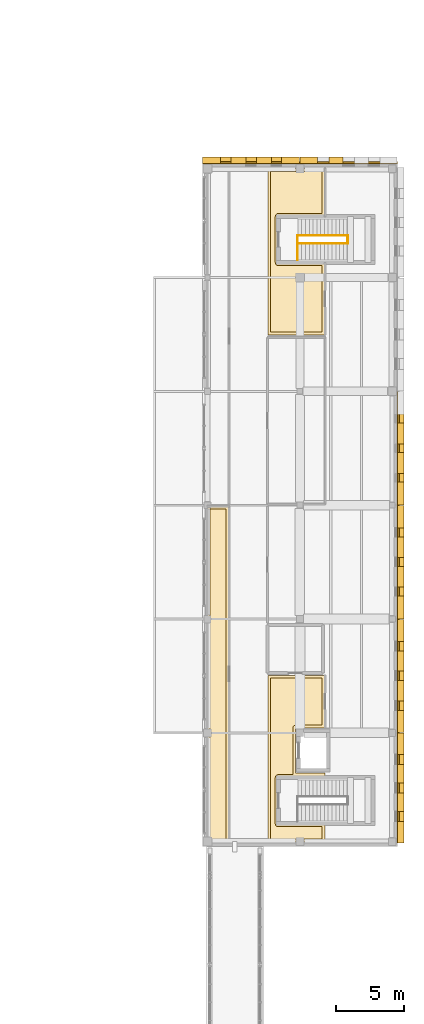
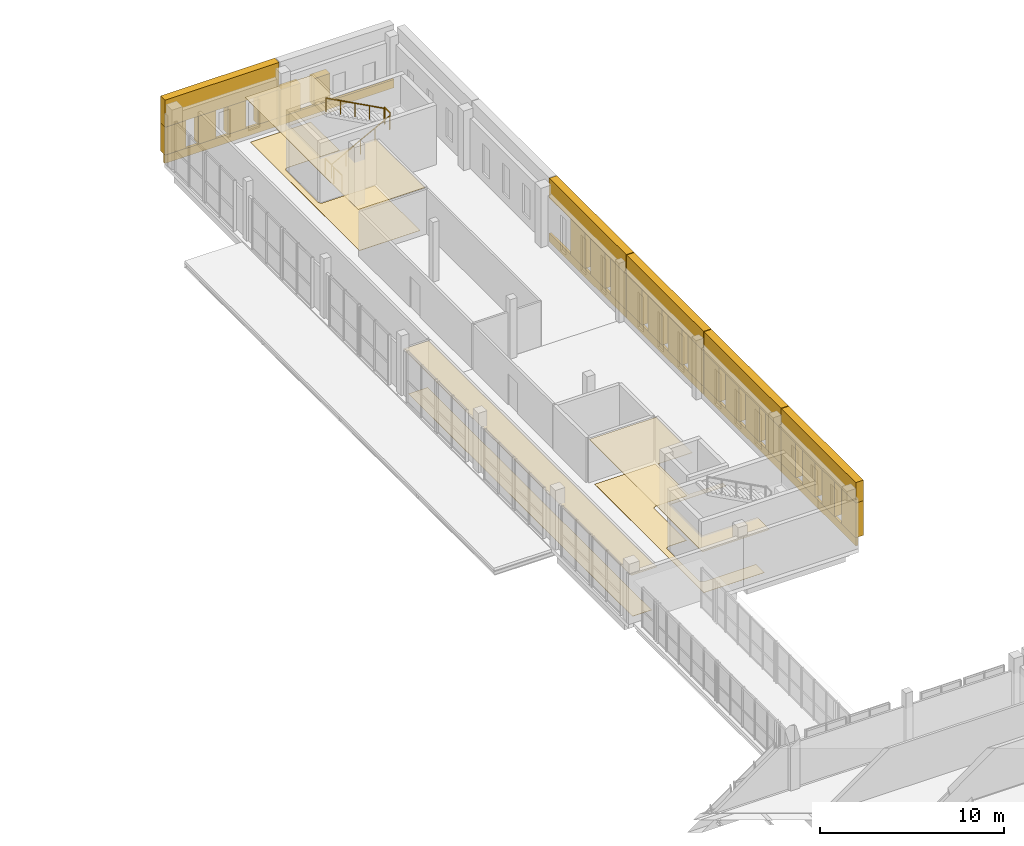
# One storey, part 75 of 76: 38 coverings, 4 railings.
"""IFC4 building model written with IfcOpenShell, lengths in metres."""

from ifc_helpers import new_model, si_unit, direction, frame, origin, origin_2d, place, context, subcontext, project, spatial, polyline, circle, outline, extrude, material, layer, layer_set, type_object, element, save


model = new_model("IFC4")

# Units and contexts
model_context = context("Model", 3, precision=1e-05, world=origin(), true_north=direction((0.0, 1.0)))
body_context = subcontext(model_context, "Body", "Model", "MODEL_VIEW")
ifc_project = project(units=[si_unit("LENGTHUNIT", "METRE"), si_unit("AREAUNIT", "SQUARE_METRE"), si_unit("VOLUMEUNIT", "CUBIC_METRE"), si_unit("PLANEANGLEUNIT", "RADIAN"), si_unit("MASSUNIT", "GRAM", prefix="KILO")], contexts=[model_context])

# Site, building, storey
site_placement = place(None, origin())
site = spatial("IfcSite", under=ifc_project, at=site_placement, CompositionType="ELEMENT")
building_placement = place(site_placement, origin())
building = spatial("IfcBuilding", under=site, at=building_placement, Name="Vardoun Plaza Health Centre", CompositionType="ELEMENT")
storey_placement = place(building_placement, frame((0.0, 0.0, 4.5)))
storey = spatial("IfcBuildingStorey", under=building, at=storey_placement, Name="L01", CompositionType="ELEMENT", Elevation=4.5)

# Coverings
ifc_material_1 = material(Name="Hygienic Acoustic Mineral-Fibre Ceiling", Category="concrete")
ifc_layer_1 = layer(ifc_material_1, 0.02490234375)
ifc_layer_set_1 = layer_set([ifc_layer_1], Name="Hygienic Acoustic Mineral-Fibre Ceiling")
covering_type_1 = type_object("IfcCoveringType", Name="CL-01", PredefinedType="CEILING", material=ifc_layer_set_1)
covering_1_placement = place(storey_placement, frame((0.0, 0.0, 2.909912109375)))
element("IfcCovering", 1, at=covering_1_placement, inside=storey, type_object=covering_type_1, Name="Dental Clinic Operatory 2 Acoustic Ceiling", PredefinedType="CEILING", context=body_context, shape_type="SweptSolid", body=[
    extrude(outline(polyline([(152.8701171875, 36.659912109375), (151.260009765625, 36.659912109375), (151.260009765625, 61.409912109375), (152.8701171875, 61.409912109375), (152.8701171875, 36.659912109375)])), origin(), (0.0, 0.0, 1.0), 0.025146484375),
])
covering_2_placement = place(storey_placement, frame((0.0, 0.0, 2.909912109375)))
element("IfcCovering", 2, at=covering_2_placement, inside=storey, type_object=covering_type_1, Name="Dental Panoramic X-Ray and Sterilisation Acoustic Ceiling", PredefinedType="CEILING", context=body_context, shape_type="SweptSolid", body=[
    extrude(outline(polyline([(159.949951171875, 86.340087890625), (159.949951171875, 82.81005859375), (156.5, 82.81005859375), (156.4990234375, 82.81005859375), (156.498046875, 82.809814453125), (156.4970703125, 82.8095703125), (156.49609375, 82.80908203125), (156.495361328125, 82.808837890625), (156.494384765625, 82.808349609375), (156.49365234375, 82.8076171875), (156.492919921875, 82.80712890625), (156.4921875, 82.806396484375), (156.49169921875, 82.8056640625), (156.4912109375, 82.8046875), (156.49072265625, 82.8037109375), (156.490478515625, 82.802978515625), (156.490234375, 82.802001953125), (156.489990234375, 82.801025390625), (156.489990234375, 82.800048828125), (156.489990234375, 79.39990234375), (156.489990234375, 79.39892578125), (156.490234375, 79.39794921875), (156.490478515625, 79.397216796875), (156.49072265625, 79.396240234375), (156.4912109375, 79.395263671875), (156.49169921875, 79.394287109375), (156.4921875, 79.393798828125), (156.492919921875, 79.392822265625), (156.49365234375, 79.392333984375), (156.494384765625, 79.3916015625), (156.495361328125, 79.39111328125), (156.49609375, 79.390869140625), (156.4970703125, 79.390380859375), (156.498046875, 79.39013671875), (156.4990234375, 79.389892578125), (156.5, 79.389892578125), (159.949951171875, 79.389892578125), (159.949951171875, 74.054931640625), (155.72998046875, 74.054931640625), (155.72998046875, 86.340087890625), (159.949951171875, 86.340087890625)])), origin(), (0.0, 0.0, 1.0), 0.025146484375),
])
covering_3_placement = place(storey_placement, frame((0.0, 0.0, 2.909912109375)))
element("IfcCovering", 3, at=covering_3_placement, inside=storey, type_object=covering_type_1, Name="Dental Clinic Operatory 1 A Acoustic Ceiling", PredefinedType="CEILING", context=body_context, shape_type="SweptSolid", body=[
    extrude(outline(polyline([(159.949951171875, 45.06005859375), (157.800048828125, 45.06005859375), (157.799072265625, 45.06005859375), (157.798095703125, 45.059814453125), (157.797119140625, 45.0595703125), (157.796142578125, 45.05908203125), (157.79541015625, 45.058837890625), (157.79443359375, 45.058349609375), (157.793701171875, 45.0576171875), (157.79296875, 45.05712890625), (157.792236328125, 45.056396484375), (157.791748046875, 45.0556640625), (157.791259765625, 45.0546875), (157.790771484375, 45.0537109375), (157.790283203125, 45.052978515625), (157.790283203125, 45.052001953125), (157.7900390625, 45.051025390625), (157.7900390625, 45.050048828125), (157.7900390625, 41.75), (157.7900390625, 41.7490234375), (157.790283203125, 41.748046875), (157.790283203125, 41.7470703125), (157.790771484375, 41.74609375), (157.791259765625, 41.745361328125), (157.791748046875, 41.744384765625), (157.792236328125, 41.74365234375), (157.79296875, 41.742919921875), (157.793701171875, 41.7421875), (157.79443359375, 41.74169921875), (157.79541015625, 41.7412109375), (157.796142578125, 41.74072265625), (157.797119140625, 41.740478515625), (157.798095703125, 41.740234375), (157.799072265625, 41.739990234375), (157.800048828125, 41.739990234375), (159.949951171875, 41.739990234375), (159.949951171875, 41.409912109375), (156.5, 41.409912109375), (156.4990234375, 41.409912109375), (156.498046875, 41.409912109375), (156.4970703125, 41.40966796875), (156.49609375, 41.4091796875), (156.495361328125, 41.40869140625), (156.494384765625, 41.408203125), (156.49365234375, 41.40771484375), (156.492919921875, 41.406982421875), (156.4921875, 41.40625), (156.49169921875, 41.405517578125), (156.4912109375, 41.40478515625), (156.49072265625, 41.40380859375), (156.490478515625, 41.40283203125), (156.490234375, 41.402099609375), (156.489990234375, 41.40087890625), (156.489990234375, 41.39990234375), (156.489990234375, 38.0), (156.489990234375, 37.9990234375), (156.490234375, 37.998046875), (156.490478515625, 37.9970703125), (156.49072265625, 37.99609375), (156.4912109375, 37.995361328125), (156.49169921875, 37.994384765625), (156.4921875, 37.99365234375), (156.492919921875, 37.992919921875), (156.49365234375, 37.9921875), (156.494384765625, 37.99169921875), (156.495361328125, 37.9912109375), (156.49609375, 37.99072265625), (156.4970703125, 37.990478515625), (156.498046875, 37.990234375), (156.4990234375, 37.989990234375), (156.5, 37.989990234375), (159.949951171875, 37.989990234375), (159.949951171875, 36.659912109375), (155.72998046875, 36.659912109375), (155.72998046875, 48.945068359375), (159.949951171875, 48.945068359375), (159.949951171875, 45.06005859375)])), origin(), (0.0, 0.0, 1.0), 0.025146484375),
])
ifc_material_2 = material(Name="Pale Limestone Concrete C35/45", Category="masonry")
ifc_layer_2 = layer(ifc_material_2, 0.080078125)
ifc_layer_set_2 = layer_set([ifc_layer_2], Name="Pale Limestone Concrete C35/45")
covering_type_2 = type_object("IfcCoveringType", Name="CL-EXT1", PredefinedType="CLADDING", material=ifc_layer_set_2)
covering_4_placement = place(storey_placement, origin())
element("IfcCovering", 4, at=covering_4_placement, inside=storey, type_object=covering_type_2, Name="V6 L01 Pale Concrete Sill Band 1286", PredefinedType="CLADDING", context=body_context, shape_type="SweptSolid", body=[
    extrude(outline(polyline([(150.919921875, 86.699951171875), (158.080078125, 86.699951171875), (158.080078125, 86.840087890625), (150.919921875, 86.840087890625), (150.919921875, 86.699951171875)])), origin(), (0.0, 0.0, 1.0), 0.550048828125),
])
covering_5_placement = place(storey_placement, frame((0.0, 0.0, 2.39990234375)))
element("IfcCovering", 5, at=covering_5_placement, inside=storey, type_object=covering_type_2, Name="V6 L01 Sculpted Concrete Eyebrow Hood 1287", PredefinedType="CLADDING", context=body_context, shape_type="SweptSolid", body=[
    extrude(outline(polyline([(150.919921875, 86.699951171875), (158.080078125, 86.699951171875), (158.080078125, 87.179931640625), (150.919921875, 87.179931640625), (150.919921875, 86.699951171875)])), origin(), (0.0, 0.0, 1.0), 1.800048828125),
])
covering_6_placement = place(storey_placement, frame((0.0, 0.0, 0.550048828125)))
element("IfcCovering", 6, at=covering_6_placement, inside=storey, type_object=covering_type_2, Name="V6 L01 Deep-Punched Slot Concrete Reveal Pier 1288", PredefinedType="CLADDING", context=body_context, shape_type="SweptSolid", body=[
    extrude(outline(polyline([(150.919921875, 86.699951171875), (152.248046875, 86.699951171875), (152.248046875, 87.179931640625), (150.919921875, 87.179931640625), (150.919921875, 86.699951171875)])), origin(), (0.0, 0.0, 1.0), 1.849853515625),
])
covering_7_placement = place(storey_placement, frame((0.0, 0.0, 0.550048828125)))
element("IfcCovering", 7, at=covering_7_placement, inside=storey, type_object=covering_type_2, Name="V6 L01 Deep-Punched Slot Concrete Reveal Pier 1289", PredefinedType="CLADDING", context=body_context, shape_type="SweptSolid", body=[
    extrude(outline(polyline([(153.008056640625, 86.699951171875), (154.1201171875, 86.699951171875), (154.1201171875, 87.179931640625), (153.008056640625, 87.179931640625), (153.008056640625, 86.699951171875)])), origin(), (0.0, 0.0, 1.0), 1.849853515625),
])
covering_8_placement = place(storey_placement, frame((0.0, 0.0, 0.550048828125)))
element("IfcCovering", 8, at=covering_8_placement, inside=storey, type_object=covering_type_2, Name="V6 L01 Deep-Punched Slot Concrete Reveal Pier 1290", PredefinedType="CLADDING", context=body_context, shape_type="SweptSolid", body=[
    extrude(outline(polyline([(154.8798828125, 86.699951171875), (155.991943359375, 86.699951171875), (155.991943359375, 87.179931640625), (154.8798828125, 87.179931640625), (154.8798828125, 86.699951171875)])), origin(), (0.0, 0.0, 1.0), 1.849853515625),
])
covering_9_placement = place(storey_placement, frame((0.0, 0.0, 0.550048828125)))
element("IfcCovering", 9, at=covering_9_placement, inside=storey, type_object=covering_type_2, Name="V6 L01 Deep-Punched Slot Concrete Reveal Pier 1291", PredefinedType="CLADDING", context=body_context, shape_type="SweptSolid", body=[
    extrude(outline(polyline([(156.751953125, 86.699951171875), (158.080078125, 86.699951171875), (158.080078125, 87.179931640625), (156.751953125, 87.179931640625), (156.751953125, 86.699951171875)])), origin(), (0.0, 0.0, 1.0), 1.849853515625),
])
covering_10_placement = place(storey_placement, origin())
element("IfcCovering", 10, at=covering_10_placement, inside=storey, type_object=covering_type_2, Name="V6 L01 Pale Concrete Sill Band 1292", PredefinedType="CLADDING", context=body_context, shape_type="SweptSolid", body=[
    extrude(outline(polyline([(158.1201171875, 86.699951171875), (165.280029296875, 86.699951171875), (165.280029296875, 86.840087890625), (158.1201171875, 86.840087890625), (158.1201171875, 86.699951171875)])), origin(), (0.0, 0.0, 1.0), 0.550048828125),
])
covering_11_placement = place(storey_placement, frame((0.0, 0.0, 0.550048828125)))
element("IfcCovering", 11, at=covering_11_placement, inside=storey, type_object=covering_type_2, Name="V6 L01 Deep-Punched Slot Concrete Reveal Pier 1294", PredefinedType="CLADDING", context=body_context, shape_type="SweptSolid", body=[
    extrude(outline(polyline([(158.1201171875, 86.699951171875), (159.407958984375, 86.699951171875), (159.407958984375, 87.179931640625), (158.1201171875, 87.179931640625), (158.1201171875, 86.699951171875)])), origin(), (0.0, 0.0, 1.0), 1.800048828125),
])
covering_12_placement = place(storey_placement, frame((0.0, 0.0, 0.550048828125)))
element("IfcCovering", 12, at=covering_12_placement, inside=storey, type_object=covering_type_2, Name="V6 L01 Deep-Punched Slot Concrete Reveal Pier 1295", PredefinedType="CLADDING", context=body_context, shape_type="SweptSolid", body=[
    extrude(outline(polyline([(160.248046875, 86.699951171875), (161.280029296875, 86.699951171875), (161.280029296875, 87.179931640625), (160.248046875, 87.179931640625), (160.248046875, 86.699951171875)])), origin(), (0.0, 0.0, 1.0), 1.800048828125),
])
covering_13_placement = place(storey_placement, origin())
element("IfcCovering", 13, at=covering_13_placement, inside=storey, type_object=covering_type_2, Name="V6 L01 Pale Concrete Sill Band 1310", PredefinedType="CLADDING", context=body_context, shape_type="SweptSolid", body=[
    extrude(outline(polyline([(165.300048828125, 69.8798828125), (165.300048828125, 61.52001953125), (165.43994140625, 61.52001953125), (165.43994140625, 69.8798828125), (165.300048828125, 69.8798828125)])), origin(), (0.0, 0.0, 1.0), 0.550048828125),
])
covering_14_placement = place(storey_placement, frame((0.0, 0.0, 2.89990234375)))
element("IfcCovering", 14, at=covering_14_placement, inside=storey, type_object=covering_type_2, Name="V6 L01 Sculpted Concrete Eyebrow Hood 1311", PredefinedType="CLADDING", context=body_context, shape_type="SweptSolid", body=[
    extrude(outline(polyline([(165.300048828125, 69.8798828125), (165.300048828125, 61.52001953125), (165.780029296875, 61.52001953125), (165.780029296875, 69.8798828125), (165.300048828125, 69.8798828125)])), origin(), (0.0, 0.0, 1.0), 1.300048828125),
])
covering_15_placement = place(storey_placement, frame((0.0, 0.0, 0.550048828125)))
element("IfcCovering", 15, at=covering_15_placement, inside=storey, type_object=covering_type_2, Name="V6 L01 Deep-Punched Slot Concrete Reveal Pier 1313", PredefinedType="CLADDING", context=body_context, shape_type="SweptSolid", body=[
    extrude(outline(polyline([(165.300048828125, 67.573974609375), (165.300048828125, 66.010009765625), (165.780029296875, 66.010009765625), (165.780029296875, 67.573974609375), (165.300048828125, 67.573974609375)])), origin(), (0.0, 0.0, 1.0), 2.349853515625),
])
covering_16_placement = place(storey_placement, frame((0.0, 0.0, 0.550048828125)))
element("IfcCovering", 16, at=covering_16_placement, inside=storey, type_object=covering_type_2, Name="V6 L01 Deep-Punched Slot Concrete Reveal Pier 1314", PredefinedType="CLADDING", context=body_context, shape_type="SweptSolid", body=[
    extrude(outline(polyline([(165.300048828125, 65.389892578125), (165.300048828125, 63.825927734375), (165.780029296875, 63.825927734375), (165.780029296875, 65.389892578125), (165.300048828125, 65.389892578125)])), origin(), (0.0, 0.0, 1.0), 2.349853515625),
])
covering_17_placement = place(storey_placement, frame((0.0, 0.0, 0.550048828125)))
element("IfcCovering", 17, at=covering_17_placement, inside=storey, type_object=covering_type_2, Name="V6 L01 Deep-Punched Slot Concrete Reveal Pier 1315", PredefinedType="CLADDING", context=body_context, shape_type="SweptSolid", body=[
    extrude(outline(polyline([(165.300048828125, 63.2060546875), (165.300048828125, 61.52001953125), (165.780029296875, 61.52001953125), (165.780029296875, 63.2060546875), (165.300048828125, 63.2060546875)])), origin(), (0.0, 0.0, 1.0), 2.349853515625),
])
covering_18_placement = place(storey_placement, origin())
element("IfcCovering", 18, at=covering_18_placement, inside=storey, type_object=covering_type_2, Name="V6 L01 Pale Concrete Sill Band 1316", PredefinedType="CLADDING", context=body_context, shape_type="SweptSolid", body=[
    extrude(outline(polyline([(165.300048828125, 61.47998046875), (165.300048828125, 53.1201171875), (165.43994140625, 53.1201171875), (165.43994140625, 61.47998046875), (165.300048828125, 61.47998046875)])), origin(), (0.0, 0.0, 1.0), 0.550048828125),
])
covering_19_placement = place(storey_placement, frame((0.0, 0.0, 2.89990234375)))
element("IfcCovering", 19, at=covering_19_placement, inside=storey, type_object=covering_type_2, Name="V6 L01 Sculpted Concrete Eyebrow Hood 1317", PredefinedType="CLADDING", context=body_context, shape_type="SweptSolid", body=[
    extrude(outline(polyline([(165.300048828125, 61.47998046875), (165.300048828125, 53.1201171875), (165.780029296875, 53.1201171875), (165.780029296875, 61.47998046875), (165.300048828125, 61.47998046875)])), origin(), (0.0, 0.0, 1.0), 1.300048828125),
])
covering_20_placement = place(storey_placement, frame((0.0, 0.0, 0.550048828125)))
element("IfcCovering", 20, at=covering_20_placement, inside=storey, type_object=covering_type_2, Name="V6 L01 Deep-Punched Slot Concrete Reveal Pier 1318", PredefinedType="CLADDING", context=body_context, shape_type="SweptSolid", body=[
    extrude(outline(polyline([(165.300048828125, 61.47998046875), (165.300048828125, 59.81396484375), (165.780029296875, 59.81396484375), (165.780029296875, 61.47998046875), (165.300048828125, 61.47998046875)])), origin(), (0.0, 0.0, 1.0), 2.349853515625),
])
covering_21_placement = place(storey_placement, frame((0.0, 0.0, 0.550048828125)))
element("IfcCovering", 21, at=covering_21_placement, inside=storey, type_object=covering_type_2, Name="V6 L01 Deep-Punched Slot Concrete Reveal Pier 1319", PredefinedType="CLADDING", context=body_context, shape_type="SweptSolid", body=[
    extrude(outline(polyline([(165.300048828125, 59.154052734375), (165.300048828125, 57.6298828125), (165.780029296875, 57.6298828125), (165.780029296875, 59.154052734375), (165.300048828125, 59.154052734375)])), origin(), (0.0, 0.0, 1.0), 2.349853515625),
])
covering_22_placement = place(storey_placement, frame((0.0, 0.0, 0.550048828125)))
element("IfcCovering", 22, at=covering_22_placement, inside=storey, type_object=covering_type_2, Name="V6 L01 Deep-Punched Slot Concrete Reveal Pier 1320", PredefinedType="CLADDING", context=body_context, shape_type="SweptSolid", body=[
    extrude(outline(polyline([(165.300048828125, 56.969970703125), (165.300048828125, 55.446044921875), (165.780029296875, 55.446044921875), (165.780029296875, 56.969970703125), (165.300048828125, 56.969970703125)])), origin(), (0.0, 0.0, 1.0), 2.349853515625),
])
covering_23_placement = place(storey_placement, frame((0.0, 0.0, 0.550048828125)))
element("IfcCovering", 23, at=covering_23_placement, inside=storey, type_object=covering_type_2, Name="V6 L01 Deep-Punched Slot Concrete Reveal Pier 1321", PredefinedType="CLADDING", context=body_context, shape_type="SweptSolid", body=[
    extrude(outline(polyline([(165.300048828125, 54.785888671875), (165.300048828125, 53.1201171875), (165.780029296875, 53.1201171875), (165.780029296875, 54.785888671875), (165.300048828125, 54.785888671875)])), origin(), (0.0, 0.0, 1.0), 2.349853515625),
])
covering_24_placement = place(storey_placement, origin())
element("IfcCovering", 24, at=covering_24_placement, inside=storey, type_object=covering_type_2, Name="V6 L01 Pale Concrete Sill Band 1322", PredefinedType="CLADDING", context=body_context, shape_type="SweptSolid", body=[
    extrude(outline(polyline([(165.300048828125, 53.080078125), (165.300048828125, 44.719970703125), (165.43994140625, 44.719970703125), (165.43994140625, 53.080078125), (165.300048828125, 53.080078125)])), origin(), (0.0, 0.0, 1.0), 0.550048828125),
])
covering_25_placement = place(storey_placement, frame((0.0, 0.0, 2.85009765625)))
element("IfcCovering", 25, at=covering_25_placement, inside=storey, type_object=covering_type_2, Name="V6 L01 Sculpted Concrete Eyebrow Hood 1323", PredefinedType="CLADDING", context=body_context, shape_type="SweptSolid", body=[
    extrude(outline(polyline([(165.300048828125, 53.080078125), (165.300048828125, 44.719970703125), (165.780029296875, 44.719970703125), (165.780029296875, 53.080078125), (165.300048828125, 53.080078125)])), origin(), (0.0, 0.0, 1.0), 1.349853515625),
])
covering_26_placement = place(storey_placement, frame((0.0, 0.0, 0.550048828125)))
element("IfcCovering", 26, at=covering_26_placement, inside=storey, type_object=covering_type_2, Name="V6 L01 Deep-Punched Slot Concrete Reveal Pier 1324", PredefinedType="CLADDING", context=body_context, shape_type="SweptSolid", body=[
    extrude(outline(polyline([(165.300048828125, 53.080078125), (165.300048828125, 51.43408203125), (165.780029296875, 51.43408203125), (165.780029296875, 53.080078125), (165.300048828125, 53.080078125)])), origin(), (0.0, 0.0, 1.0), 2.300048828125),
])
covering_27_placement = place(storey_placement, frame((0.0, 0.0, 0.550048828125)))
element("IfcCovering", 27, at=covering_27_placement, inside=storey, type_object=covering_type_2, Name="V6 L01 Deep-Punched Slot Concrete Reveal Pier 1325", PredefinedType="CLADDING", context=body_context, shape_type="SweptSolid", body=[
    extrude(outline(polyline([(165.300048828125, 50.73388671875), (165.300048828125, 49.25), (165.780029296875, 49.25), (165.780029296875, 50.73388671875), (165.300048828125, 50.73388671875)])), origin(), (0.0, 0.0, 1.0), 2.300048828125),
])
covering_28_placement = place(storey_placement, frame((0.0, 0.0, 0.550048828125)))
element("IfcCovering", 28, at=covering_28_placement, inside=storey, type_object=covering_type_2, Name="V6 L01 Deep-Punched Slot Concrete Reveal Pier 1326", PredefinedType="CLADDING", context=body_context, shape_type="SweptSolid", body=[
    extrude(outline(polyline([(165.300048828125, 48.550048828125), (165.300048828125, 47.06591796875), (165.780029296875, 47.06591796875), (165.780029296875, 48.550048828125), (165.300048828125, 48.550048828125)])), origin(), (0.0, 0.0, 1.0), 2.300048828125),
])
covering_29_placement = place(storey_placement, frame((0.0, 0.0, 0.550048828125)))
element("IfcCovering", 29, at=covering_29_placement, inside=storey, type_object=covering_type_2, Name="V6 L01 Deep-Punched Slot Concrete Reveal Pier 1327", PredefinedType="CLADDING", context=body_context, shape_type="SweptSolid", body=[
    extrude(outline(polyline([(165.300048828125, 46.365966796875), (165.300048828125, 44.719970703125), (165.780029296875, 44.719970703125), (165.780029296875, 46.365966796875), (165.300048828125, 46.365966796875)])), origin(), (0.0, 0.0, 1.0), 2.300048828125),
])
covering_30_placement = place(storey_placement, origin())
element("IfcCovering", 30, at=covering_30_placement, inside=storey, type_object=covering_type_2, Name="V6 L01 Pale Concrete Sill Band 1328", PredefinedType="CLADDING", context=body_context, shape_type="SweptSolid", body=[
    extrude(outline(polyline([(165.300048828125, 44.679931640625), (165.300048828125, 36.5849609375), (165.43994140625, 36.5849609375), (165.43994140625, 44.679931640625), (165.300048828125, 44.679931640625)])), origin(), (0.0, 0.0, 1.0), 0.550048828125),
])
covering_31_placement = place(storey_placement, frame((0.0, 0.0, 2.85009765625)))
element("IfcCovering", 31, at=covering_31_placement, inside=storey, type_object=covering_type_2, Name="V6 L01 Sculpted Concrete Eyebrow Hood 1329", PredefinedType="CLADDING", context=body_context, shape_type="SweptSolid", body=[
    extrude(outline(polyline([(165.300048828125, 44.679931640625), (165.300048828125, 36.5849609375), (165.780029296875, 36.5849609375), (165.780029296875, 44.679931640625), (165.300048828125, 44.679931640625)])), origin(), (0.0, 0.0, 1.0), 1.349853515625),
])
covering_32_placement = place(storey_placement, frame((0.0, 0.0, 0.550048828125)))
element("IfcCovering", 32, at=covering_32_placement, inside=storey, type_object=covering_type_2, Name="V6 L01 Deep-Punched Slot Concrete Reveal Pier 1330", PredefinedType="CLADDING", context=body_context, shape_type="SweptSolid", body=[
    extrude(outline(polyline([(165.300048828125, 44.679931640625), (165.300048828125, 43.11767578125), (165.780029296875, 43.11767578125), (165.780029296875, 44.679931640625), (165.300048828125, 44.679931640625)])), origin(), (0.0, 0.0, 1.0), 2.300048828125),
])
covering_33_placement = place(storey_placement, frame((0.0, 0.0, 0.550048828125)))
element("IfcCovering", 33, at=covering_33_placement, inside=storey, type_object=covering_type_2, Name="V6 L01 Deep-Punched Slot Concrete Reveal Pier 1331", PredefinedType="CLADDING", context=body_context, shape_type="SweptSolid", body=[
    extrude(outline(polyline([(165.300048828125, 42.377685546875), (165.300048828125, 41.00244140625), (165.780029296875, 41.00244140625), (165.780029296875, 42.377685546875), (165.300048828125, 42.377685546875)])), origin(), (0.0, 0.0, 1.0), 2.300048828125),
])
covering_34_placement = place(storey_placement, frame((0.0, 0.0, 0.550048828125)))
element("IfcCovering", 34, at=covering_34_placement, inside=storey, type_object=covering_type_2, Name="V6 L01 Deep-Punched Slot Concrete Reveal Pier 1332", PredefinedType="CLADDING", context=body_context, shape_type="SweptSolid", body=[
    extrude(outline(polyline([(165.300048828125, 40.262451171875), (165.300048828125, 38.887451171875), (165.780029296875, 38.887451171875), (165.780029296875, 40.262451171875), (165.300048828125, 40.262451171875)])), origin(), (0.0, 0.0, 1.0), 2.300048828125),
])
covering_35_placement = place(storey_placement, frame((0.0, 0.0, 0.550048828125)))
element("IfcCovering", 35, at=covering_35_placement, inside=storey, type_object=covering_type_2, Name="V6 L01 Deep-Punched Slot Concrete Reveal Pier 1333", PredefinedType="CLADDING", context=body_context, shape_type="SweptSolid", body=[
    extrude(outline(polyline([(165.300048828125, 38.1474609375), (165.300048828125, 36.5849609375), (165.780029296875, 36.5849609375), (165.780029296875, 38.1474609375), (165.300048828125, 38.1474609375)])), origin(), (0.0, 0.0, 1.0), 2.300048828125),
])
ifc_material_3 = material(Name="Seamless Conductive Clinical Vinyl Flooring", Category="concrete")
ifc_layer_3 = layer(ifc_material_3, 0.014892578125)
ifc_layer_set_3 = layer_set([ifc_layer_3], Name="Seamless Conductive Clinical Vinyl Flooring")
covering_type_3 = type_object("IfcCoveringType", Name="FL-01", PredefinedType="FLOORING", material=ifc_layer_set_3)
covering_36_placement = place(storey_placement, origin())
element("IfcCovering", 36, at=covering_36_placement, inside=storey, type_object=covering_type_3, Name="Dental Clinic Operatory 2 Floor Finish", PredefinedType="FLOORING", context=body_context, shape_type="SweptSolid", body=[
    extrude(outline(polyline([(152.659912109375, 36.8701171875), (151.469970703125, 36.8701171875), (151.469970703125, 61.199951171875), (152.659912109375, 61.199951171875), (152.659912109375, 36.8701171875)])), origin(), (0.0, 0.0, 1.0), 0.014892578125),
])
covering_37_placement = place(storey_placement, origin())
element("IfcCovering", 37, at=covering_37_placement, inside=storey, type_object=covering_type_3, Name="Dental Panoramic X-Ray and Sterilisation Floor Finish", PredefinedType="FLOORING", context=body_context, shape_type="SweptSolid", body=[
    extrude(outline(polyline([(159.739990234375, 86.1298828125), (159.739990234375, 83.02001953125), (156.5, 83.02001953125), (156.478515625, 83.018798828125), (156.45703125, 83.015869140625), (156.43603515625, 83.010498046875), (156.415771484375, 83.00341796875), (156.396240234375, 82.993896484375), (156.377685546875, 82.98291015625), (156.3603515625, 82.97021484375), (156.344482421875, 82.95556640625), (156.329833984375, 82.939697265625), (156.317138671875, 82.922119140625), (156.305908203125, 82.90380859375), (156.296630859375, 82.88427734375), (156.28955078125, 82.864013671875), (156.2841796875, 82.843017578125), (156.281005859375, 82.821533203125), (156.280029296875, 82.800048828125), (156.280029296875, 79.39990234375), (156.281005859375, 79.37841796875), (156.2841796875, 79.357177734375), (156.28955078125, 79.336181640625), (156.296630859375, 79.31591796875), (156.305908203125, 79.29638671875), (156.317138671875, 79.27783203125), (156.329833984375, 79.260498046875), (156.344482421875, 79.244384765625), (156.3603515625, 79.22998046875), (156.377685546875, 79.217041015625), (156.396240234375, 79.2060546875), (156.415771484375, 79.19677734375), (156.43603515625, 79.189453125), (156.45703125, 79.18408203125), (156.478515625, 79.18115234375), (156.5, 79.179931640625), (159.739990234375, 79.179931640625), (159.739990234375, 74.264892578125), (155.93994140625, 74.264892578125), (155.93994140625, 86.1298828125), (159.739990234375, 86.1298828125)])), origin(), (0.0, 0.0, 1.0), 0.014892578125),
])
covering_38_placement = place(storey_placement, origin())
element("IfcCovering", 38, at=covering_38_placement, inside=storey, type_object=covering_type_3, Name="Dental Clinic Operatory 1 A Floor Finish", PredefinedType="FLOORING", context=body_context, shape_type="SweptSolid", body=[
    extrude(outline(polyline([(157.622802734375, 41.6201171875), (156.5, 41.6201171875), (156.478515625, 41.618896484375), (156.45703125, 41.61572265625), (156.43603515625, 41.610595703125), (156.415771484375, 41.603271484375), (156.396240234375, 41.593994140625), (156.377685546875, 41.5830078125), (156.3603515625, 41.570068359375), (156.344482421875, 41.5556640625), (156.329833984375, 41.53955078125), (156.317138671875, 41.522216796875), (156.305908203125, 41.503662109375), (156.296630859375, 41.484130859375), (156.28955078125, 41.4638671875), (156.2841796875, 41.44287109375), (156.281005859375, 41.421630859375), (156.280029296875, 41.39990234375), (156.280029296875, 38.0), (156.281005859375, 37.978515625), (156.2841796875, 37.95703125), (156.28955078125, 37.93603515625), (156.296630859375, 37.915771484375), (156.305908203125, 37.896240234375), (156.317138671875, 37.877685546875), (156.329833984375, 37.8603515625), (156.344482421875, 37.844482421875), (156.3603515625, 37.829833984375), (156.377685546875, 37.817138671875), (156.396240234375, 37.805908203125), (156.415771484375, 37.796630859375), (156.43603515625, 37.78955078125), (156.45703125, 37.7841796875), (156.478515625, 37.781005859375), (156.5, 37.780029296875), (159.739990234375, 37.780029296875), (159.739990234375, 36.8701171875), (155.93994140625, 36.8701171875), (155.93994140625, 48.735107421875), (159.739990234375, 48.735107421875), (159.739990234375, 45.27001953125), (157.800048828125, 45.27001953125), (157.7783203125, 45.268798828125), (157.757080078125, 45.265869140625), (157.736083984375, 45.260498046875), (157.7158203125, 45.25341796875), (157.6962890625, 45.243896484375), (157.677734375, 45.23291015625), (157.660400390625, 45.22021484375), (157.644287109375, 45.20556640625), (157.6298828125, 45.189697265625), (157.6171875, 45.172119140625), (157.60595703125, 45.15380859375), (157.5966796875, 45.13427734375), (157.589599609375, 45.114013671875), (157.584228515625, 45.093017578125), (157.5810546875, 45.071533203125), (157.580078125, 45.050048828125), (157.580078125, 41.75), (157.5810546875, 41.728515625), (157.584228515625, 41.70703125), (157.589599609375, 41.68603515625), (157.5966796875, 41.665771484375), (157.60595703125, 41.646240234375), (157.6171875, 41.627685546875), (157.622802734375, 41.6201171875)])), origin(), (0.0, 0.0, 1.0), 0.014892578125),
])

# Railings
ifc_material_4 = material(Name="Painted Steel S275JR Stair-Well Guardrail", Category="steel")
railing_type_1 = type_object("IfcRailingType", Name="GR-04", PredefinedType="GUARDRAIL", material=ifc_material_4)
railing_1_placement = place(storey_placement, frame((157.909912109375, 79.580078125, 0.0)))
element("IfcRailing", 39, at=railing_1_placement, inside=storey, type_object=railing_type_1, Name="Stair ST-C11-L00 Upper Landing Well Guard", PredefinedType="GUARDRAIL", context=body_context, shape_type="SweptSolid", body=[
    extrude(circle(Radius=0.02392578125, at=origin_2d()), frame((0.0, 0.0, 1.09619140625), z_axis=(0.0, 1.0, 0.0), x_axis=(-1.0, 0.0, 0.0)), (0.0, 0.0, 1.0), 1.81494140625),
    extrude(circle(Radius=0.02099609375, at=origin_2d()), origin(), (0.0, 0.0, 1.0), 1.072021484375),
    extrude(circle(Radius=0.02099609375, at=origin_2d()), frame((0.0, 0.907470703125, 0.0)), (0.0, 0.0, 1.0), 1.072021484375),
    extrude(circle(Radius=0.02099609375, at=origin_2d()), frame((0.0, 1.81494140625, 0.0)), (0.0, 0.0, 1.0), 1.072021484375),
])
railing_2_placement = place(storey_placement, frame((161.6298828125, 80.804931640625, 2.10009765625)))
element("IfcRailing", 40, at=railing_2_placement, inside=storey, type_object=railing_type_1, Name="Stair ST-C11-L01 Mid-Landing Well Guard", PredefinedType="GUARDRAIL", context=body_context, shape_type="SweptSolid", body=[
    extrude(circle(Radius=0.02392578125, at=origin_2d()), frame((0.0, 0.0, 1.09619140625), z_axis=(0.0, 1.0, 0.0), x_axis=(-1.0, 0.0, 0.0)), (0.0, 0.0, 1.0), 0.590087890625),
    extrude(circle(Radius=0.02099609375, at=origin_2d()), origin(), (0.0, 0.0, 1.0), 1.072021484375),
    extrude(circle(Radius=0.02099609375, at=origin_2d()), frame((0.0, 0.590087890625, 0.0)), (0.0, 0.0, 1.0), 1.072021484375),
])
ifc_material_5 = material(Name="Brushed Stainless Steel Grade 316L", Category="steel")
railing_type_2 = type_object("IfcRailingType", Name="HR-01", PredefinedType="HANDRAIL", material=ifc_material_5)
railing_3_placement = place(storey_placement, frame((157.949951171875, 80.804931640625, 0.14990234375)))
element("IfcRailing", 41, at=railing_3_placement, inside=storey, type_object=railing_type_2, Name="Stair ST-C11-L01 Flight 1 Handrail", PredefinedType="HANDRAIL", context=body_context, shape_type="SweptSolid", body=[
    extrude(circle(Radius=0.02392578125, at=origin_2d()), frame((0.0, 0.0, 0.89599609375), z_axis=(0.881467665431, 0.0, 0.47224438038), x_axis=(0.0, 1.0, 0.0)), (0.0, 0.0, 1.0), 4.129638671875),
    extrude(circle(Radius=0.02099609375, at=origin_2d()), origin(), (0.0, 0.0, 1.0), 0.871826171875),
    extrude(circle(Radius=0.02099609375, at=origin_2d()), frame((0.91015625, 0.0, 0.487548828125)), (0.0, 0.0, 1.0), 0.871826171875),
    extrude(circle(Radius=0.02099609375, at=origin_2d()), frame((1.820068359375, 0.0, 0.97509765625)), (0.0, 0.0, 1.0), 0.871826171875),
    extrude(circle(Radius=0.02099609375, at=origin_2d()), frame((2.72998046875, 0.0, 1.462646484375)), (0.0, 0.0, 1.0), 0.871826171875),
    extrude(circle(Radius=0.02099609375, at=origin_2d()), frame((3.64013671875, 0.0, 1.9501953125)), (0.0, 0.0, 1.0), 0.871826171875),
])
railing_4_placement = place(storey_placement, frame((161.590087890625, 81.39501953125, 2.25)))
element("IfcRailing", 42, at=railing_4_placement, inside=storey, type_object=railing_type_2, Name="Stair ST-C11-L01 Flight 2 Handrail", PredefinedType="HANDRAIL", context=body_context, shape_type="SweptSolid", body=[
    extrude(circle(Radius=0.02392578125, at=origin_2d()), frame((0.0, 0.0, 0.89599609375), z_axis=(-0.881492274372, 0.0, 0.472198443689), x_axis=(0.0, -1.0, 0.0)), (0.0, 0.0, 1.0), 4.12939453125),
    extrude(circle(Radius=0.02099609375, at=origin_2d()), origin(), (0.0, 0.0, 1.0), 0.871826171875),
    extrude(circle(Radius=0.02099609375, at=origin_2d()), frame((-0.91015625, 0.0, 0.487548828125)), (0.0, 0.0, 1.0), 0.871826171875),
    extrude(circle(Radius=0.02099609375, at=origin_2d()), frame((-1.820068359375, 0.0, 0.97509765625)), (0.0, 0.0, 1.0), 0.871826171875),
    extrude(circle(Radius=0.02099609375, at=origin_2d()), frame((-2.72998046875, 0.0, 1.46240234375)), (0.0, 0.0, 1.0), 0.871826171875),
    extrude(circle(Radius=0.02099609375, at=origin_2d()), frame((-3.64013671875, 0.0, 1.949951171875)), (0.0, 0.0, 1.0), 0.871826171875),
])

save(model, "model.ifc")
